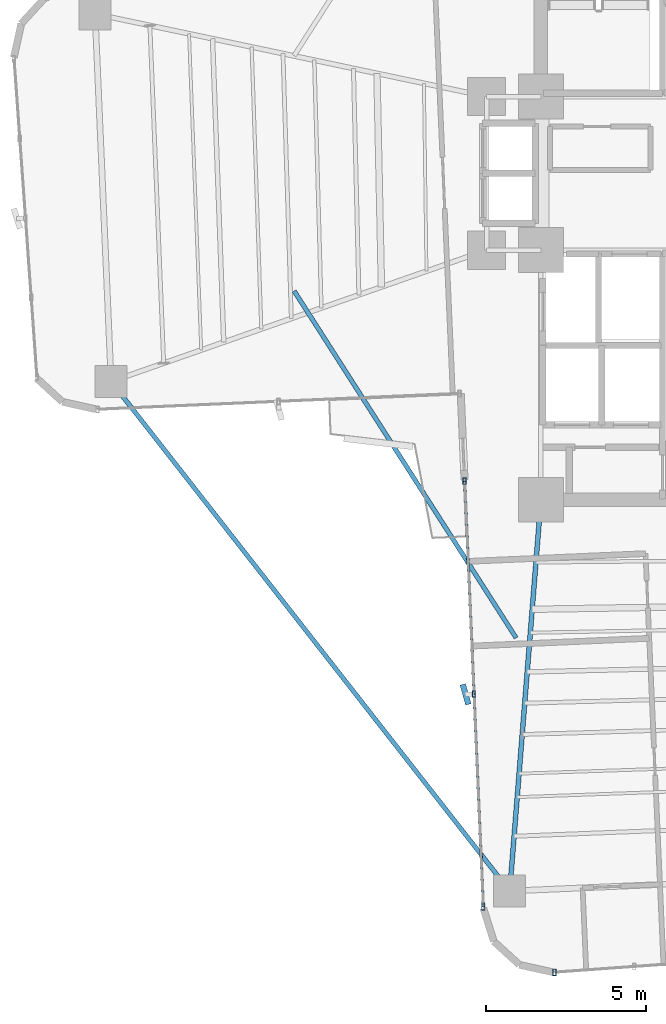
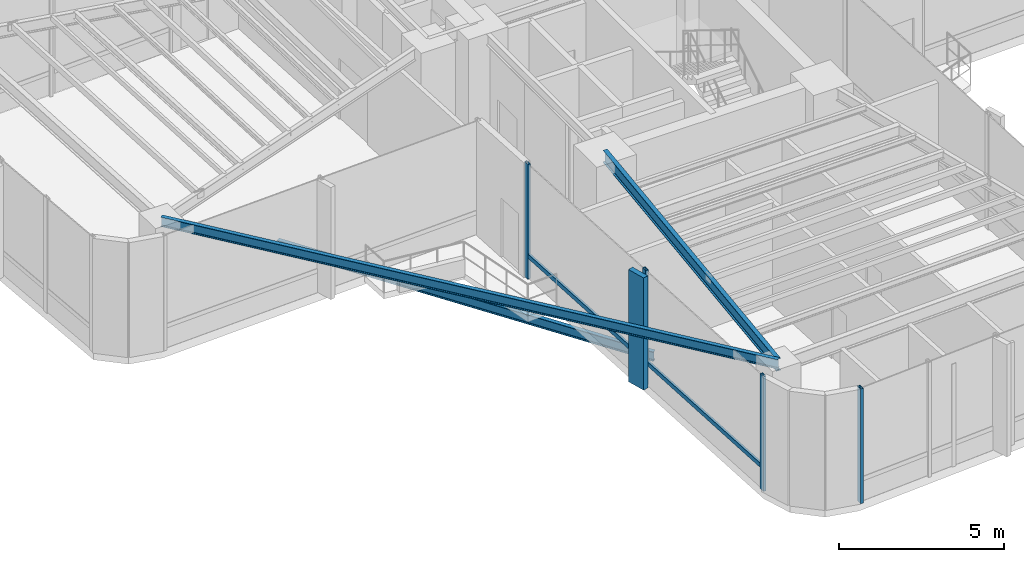
# One storey, part 2 of 21: 7 members, 3 beams, 2 elements without a shape of their own.
"""IFC4 building model written with IfcOpenShell, lengths in metres."""

from ifc_helpers import new_model, si_unit, direction, frame, origin, origin_2d, place, context, subcontext, project, spatial, rectangle, hollow_rectangle, i_section, extrude, source, transform, mapped, material, material_profile, profile_set, type_object, element, aggregate, save


model = new_model("IFC4")

# Units and contexts
model_context = context("Model", 3, precision=1e-05, world=origin(), true_north=direction((0.0, 1.0)))
body_context = subcontext(model_context, "Body", "Model", "MODEL_VIEW")
ifc_project = project(units=[si_unit("LENGTHUNIT", "METRE"), si_unit("AREAUNIT", "SQUARE_METRE"), si_unit("VOLUMEUNIT", "CUBIC_METRE"), si_unit("PLANEANGLEUNIT", "RADIAN"), si_unit("MASSUNIT", "GRAM", prefix="KILO")], contexts=[model_context])

# Site, building, storey
site_placement = place(None, origin())
site = spatial("IfcSite", under=ifc_project, at=site_placement, CompositionType="ELEMENT")
building_placement = place(site_placement, origin())
building = spatial("IfcBuilding", under=site, at=building_placement, Name="Sahyath Konkavel Grand Hotel", CompositionType="ELEMENT")
storey_placement = place(building_placement, frame((0.0, 0.0, 79.0)))
storey = spatial("IfcBuildingStorey", under=building, at=storey_placement, Name="L21", CompositionType="ELEMENT", Elevation=79.0)

# Beams
ifc_material_1 = material(Name="Steel E350", Category="steel")
ifc_material_profile_1 = material_profile(ifc_material_1, i_section(OverallWidth=0.14990234375, OverallDepth=0.449951171875, WebThickness=0.009521484375, FlangeThickness=0.017333984375, FilletRadius=0.014892578125, at=origin_2d()), Name="ISMB 450")
ifc_profile_set_1 = profile_set([ifc_material_profile_1], Name="Steel E350")
beam_type_1 = type_object("IfcBeamType", Name="BM-ISMB450", PredefinedType="BEAM", material=ifc_profile_set_1)
shared_shape_1 = source(origin(), body_context, "Body", "SweptSolid", [
    extrude(i_section(OverallWidth=0.14990234375, OverallDepth=0.449951171875, WebThickness=0.009521484375, FlangeThickness=0.017333984375, FilletRadius=0.014892578125, at=origin_2d()), origin(), (0.0, 0.0, 1.0), 12.2685546875),
])
beam_1_placement = place(storey_placement, frame((-3.800048828125, -10.199951171875, 4.034912109375), z_axis=(-0.079558563357, -0.996830193662, 0.0), x_axis=(0.996830193662, -0.079558563357, 0.0)))
element("IfcBeam", 1, at=beam_1_placement, inside=storey, type_object=beam_type_1, Name="L21 Cruciform Radial Girder SA", PredefinedType="BEAM", context=body_context, shape_type="MappedRepresentation", body=[
    mapped(shared_shape_1, transform((0.0, 0.0, 0.0), scale=1.0)),
])
ifc_material_profile_2 = material_profile(ifc_material_1, i_section(OverallWidth=0.139892578125, OverallDepth=0.35009765625, WebThickness=0.008056640625, FlangeThickness=0.01416015625, FilletRadius=0.013916015625, at=origin_2d()), Name="ISMB 350")
ifc_profile_set_2 = profile_set([ifc_material_profile_2], Name="Steel E350")
beam_type_2 = type_object("IfcBeamType", Name="BM-ISMB350", PredefinedType="BEAM", material=ifc_profile_set_2)
shared_shape_2 = source(origin(), body_context, "Body", "SweptSolid", [
    extrude(i_section(OverallWidth=0.139892578125, OverallDepth=0.35009765625, WebThickness=0.008056640625, FlangeThickness=0.01416015625, FilletRadius=0.013916015625, at=origin_2d()), origin(), (0.0, 0.0, 1.0), 20.215576171875),
])
beam_2_placement = place(storey_placement, frame((-17.232421875, -6.5078125, 4.0849609375), z_axis=(0.616176369687, -0.787608203004, 0.0), x_axis=(0.787608203004, 0.616176369687, 0.0)))
element("IfcBeam", 2, at=beam_2_placement, inside=storey, type_object=beam_type_2, Name="L21 Re-Entrant Tie Beam SW", PredefinedType="BEAM", context=body_context, shape_type="MappedRepresentation", body=[
    mapped(shared_shape_2, transform((0.0, 0.0, 0.0), scale=1.0)),
])

# Curtain wall, members
ifc_material_2 = material(Name="Anodised Bronze Aluminium & Low-E Glazing", Category="aluminium")
curtain_wall_type = type_object("IfcCurtainWallType", Name="CW-SKYLOBBY", PredefinedType="NOTDEFINED", material=ifc_material_2)
curtain_wall_1_placement = place(storey_placement, origin())
curtain_wall_1 = element("IfcCurtainWall", 3, at=curtain_wall_1_placement, inside=storey, type_object=curtain_wall_type, Name="L21 Unitised Curtain Wall F24", PredefinedType="NOTDEFINED")
ifc_material_3 = material(Name="Anodised Bronze Aluminium", Category="aluminium")
ifc_material_profile_3 = material_profile(ifc_material_3, hollow_rectangle(XDim=0.10009765625, YDim=0.199951171875, WallThickness=0.008056640625, at=origin_2d()), Name="RHS 200x100x8")
ifc_profile_set_3 = profile_set([ifc_material_profile_3], Name="Anodised Bronze Aluminium")
member_type_1 = type_object("IfcMemberType", Name="CW-MUL-200", PredefinedType="MULLION", material=ifc_profile_set_3)
shared_shape_3 = source(origin(), body_context, "Body", "SweptSolid", [
    extrude(hollow_rectangle(XDim=0.10009765625, YDim=0.199951171875, WallThickness=0.008056640625, at=origin_2d()), origin(), (0.0, 0.0, 1.0), 4.260009765625),
])
member_1_placement = place(storey_placement, frame((-6.186279296875, -9.618896484375, 0.0), z_axis=(0.0, 0.0, 1.0), x_axis=(1.0, 0.0, 0.0)))
member_1 = element("IfcMember", 4, at=member_1_placement, type_object=member_type_1, Name="L21 Curtain Wall Mullion F24-0", PredefinedType="MULLION", context=body_context, shape_type="MappedRepresentation", body=[
    mapped(shared_shape_3, transform((0.0, 0.0, 0.0), scale=1.0)),
])
member_2_placement = place(storey_placement, frame((-5.895751953125, -16.272705078125, 0.0), z_axis=(0.0, 0.0, 1.0), x_axis=(1.0, 0.0, 0.0)))
member_2 = element("IfcMember", 5, at=member_2_placement, type_object=member_type_1, Name="L21 Curtain Wall Mullion F24-1", PredefinedType="MULLION", context=body_context, shape_type="MappedRepresentation", body=[
    mapped(shared_shape_3, transform((0.0, 0.0, 0.0), scale=1.0)),
])
member_3_placement = place(storey_placement, frame((-5.605224609375, -22.92626953125, 0.0), z_axis=(0.0, 0.0, 1.0), x_axis=(1.0, 0.0, 0.0)))
member_3 = element("IfcMember", 6, at=member_3_placement, type_object=member_type_1, Name="L21 Curtain Wall Mullion F24-2", PredefinedType="MULLION", context=body_context, shape_type="MappedRepresentation", body=[
    mapped(shared_shape_3, transform((0.0, 0.0, 0.0), scale=1.0)),
])

# Curtain wall, member
curtain_wall_2_placement = place(storey_placement, origin())
curtain_wall_2 = element("IfcCurtainWall", 7, at=curtain_wall_2_placement, inside=storey, type_object=curtain_wall_type, Name="L21 Unitised Curtain Wall F28", PredefinedType="NOTDEFINED")
member_4_placement = place(storey_placement, frame((-3.3740234375, -24.9697265625, 0.0), z_axis=(0.0, 0.0, 1.0), x_axis=(1.0, 0.0, 0.0)))
member_4 = element("IfcMember", 8, at=member_4_placement, type_object=member_type_1, Name="L21 Curtain Wall Mullion F28-0", PredefinedType="MULLION", context=body_context, shape_type="MappedRepresentation", body=[
    mapped(shared_shape_3, transform((0.0, 0.0, 0.0), scale=1.0)),
])
aggregate(curtain_wall_2, [member_4])

# Beam
ifc_material_profile_4 = material_profile(ifc_material_1, i_section(OverallWidth=0.139892578125, OverallDepth=0.35009765625, WebThickness=0.008056640625, FlangeThickness=0.01416015625, FilletRadius=0.013916015625, at=origin_2d()), Name="ISMB 350")
ifc_profile_set_4 = profile_set([ifc_material_profile_4], Name="Steel E350")
beam_type_3 = type_object("IfcBeamType", Name="BM-BALC-CANT", PredefinedType="BEAM", material=ifc_profile_set_4)
shared_shape_4 = source(origin(), body_context, "Body", "SweptSolid", [
    extrude(i_section(OverallWidth=0.139892578125, OverallDepth=0.35009765625, WebThickness=0.008056640625, FlangeThickness=0.01416015625, FilletRadius=0.013916015625, at=origin_2d()), origin(), (0.0, 0.0, 1.0), 12.871826171875),
])
beam_3_placement = place(storey_placement, frame((-11.511962890625, -3.677978515625, -0.4951171875), z_axis=(0.539003102535, -0.842303778608, 0.0), x_axis=(0.842303778608, 0.539003102535, 0.0)))
element("IfcBeam", 9, at=beam_3_placement, inside=storey, type_object=beam_type_3, Name="L21 Balcony Cantilever Support Beam SW", PredefinedType="BEAM", context=body_context, shape_type="MappedRepresentation", body=[
    mapped(shared_shape_4, transform((0.0, 0.0, 0.0), scale=1.0)),
])

# Member
ifc_material_4 = material(Name="Warm Buff Sandstone Cladding on Concrete C50/60", Category="masonry")
ifc_material_profile_5 = material_profile(ifc_material_4, rectangle(XDim=0.179931640625, YDim=0.64990234375, at=origin_2d()), Name="FIN 180x650")
ifc_profile_set_5 = profile_set([ifc_material_profile_5], Name="Warm Buff Sandstone Cladding on Concrete C50/60")
member_type_2 = type_object("IfcMemberType", Name="FIN-SANDSTONE-650", PredefinedType="MULLION", material=ifc_profile_set_5)
shared_shape_5 = source(origin(), body_context, "Body", "SweptSolid", [
    extrude(rectangle(XDim=0.179931640625, YDim=0.64990234375, at=origin_2d()), origin(), (0.0, 0.0, 1.0), 4.159912109375),
])
member_5_placement = place(storey_placement, frame((-6.155517578125, -16.283935546875, 0.050048828125), z_axis=(0.0, 0.0, 1.0), x_axis=(0.963677080427, 0.267070186767, 0.0)))
member_5 = element("IfcMember", 10, at=member_5_placement, type_object=member_type_2, Name="L21 Sandstone Vertical Solar Fin FIN F24-1", PredefinedType="MULLION", context=body_context, shape_type="MappedRepresentation", body=[
    mapped(shared_shape_5, transform((0.0, 0.0, 0.0), scale=1.0)),
])

ifc_material_profile_6 = material_profile(ifc_material_3, hollow_rectangle(XDim=0.080078125, YDim=0.159912109375, WallThickness=0.006103515625, at=origin_2d()), Name="RHS 160x80x6")
ifc_profile_set_6 = profile_set([ifc_material_profile_6], Name="Anodised Bronze Aluminium")
member_type_3 = type_object("IfcMemberType", Name="CW-TRN-160", PredefinedType="USERDEFINED", material=ifc_profile_set_6)
shared_shape_6 = source(origin(), body_context, "Body", "SweptSolid", [
    extrude(hollow_rectangle(XDim=0.080078125, YDim=0.159912109375, WallThickness=0.006103515625, at=origin_2d()), origin(), (0.0, 0.0, 1.0), 6.66015625),
])
member_6_placement = place(storey_placement, frame((-6.186279296875, -9.618896484375, 0.85009765625), z_axis=(0.043621753165, -0.999048118286, 0.0), x_axis=(0.999048118286, 0.043621753165, 0.0)))
member_6 = element("IfcMember", 11, at=member_6_placement, type_object=member_type_3, Name="L21 Curtain Wall Transom F24-0-spandrel", ObjectType="TRANSOM", PredefinedType="USERDEFINED", context=body_context, shape_type="MappedRepresentation", body=[
    mapped(shared_shape_6, transform((0.0, 0.0, 0.0), scale=1.0)),
])

shared_shape_7 = source(origin(), body_context, "Body", "SweptSolid", [
    extrude(hollow_rectangle(XDim=0.080078125, YDim=0.159912109375, WallThickness=0.006103515625, at=origin_2d()), origin(), (0.0, 0.0, 1.0), 6.659912109375),
])
member_7_placement = place(storey_placement, frame((-5.895751953125, -16.272705078125, 0.85009765625), z_axis=(0.043623350741, -0.999048048529, 0.0), x_axis=(0.999048048529, 0.043623350741, 0.0)))
member_7 = element("IfcMember", 12, at=member_7_placement, type_object=member_type_3, Name="L21 Curtain Wall Transom F24-1-spandrel", ObjectType="TRANSOM", PredefinedType="USERDEFINED", context=body_context, shape_type="MappedRepresentation", body=[
    mapped(shared_shape_7, transform((0.0, 0.0, 0.0), scale=1.0)),
])

aggregate(curtain_wall_1, [member_1, member_2, member_5, member_3, member_6, member_7])

save(model, "model.ifc")
